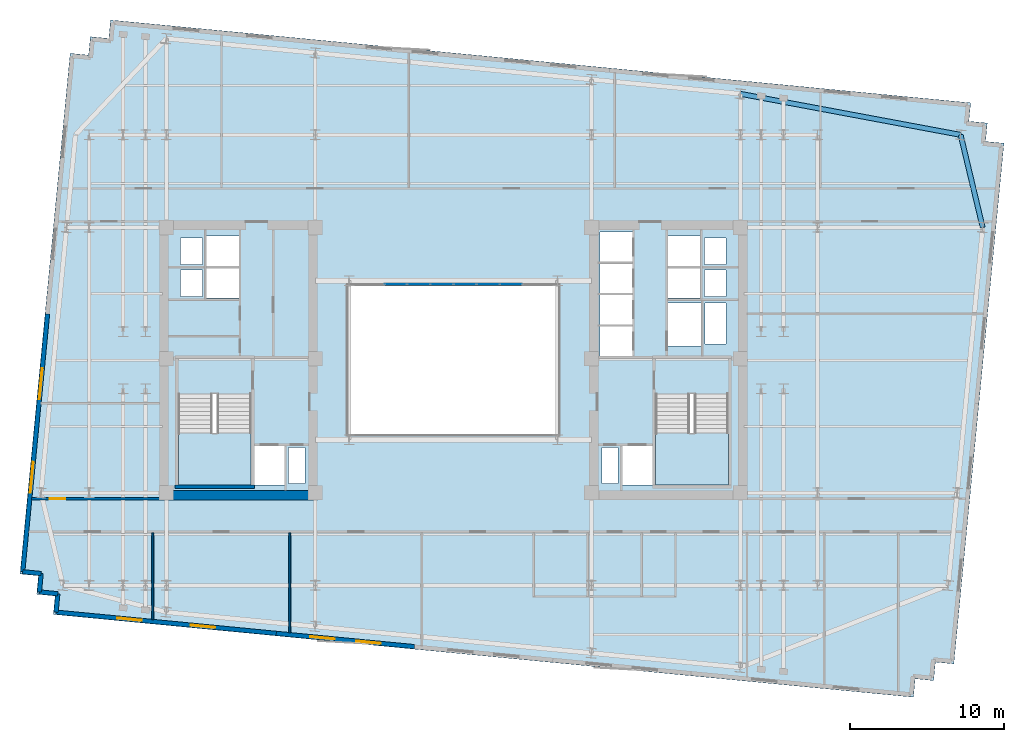
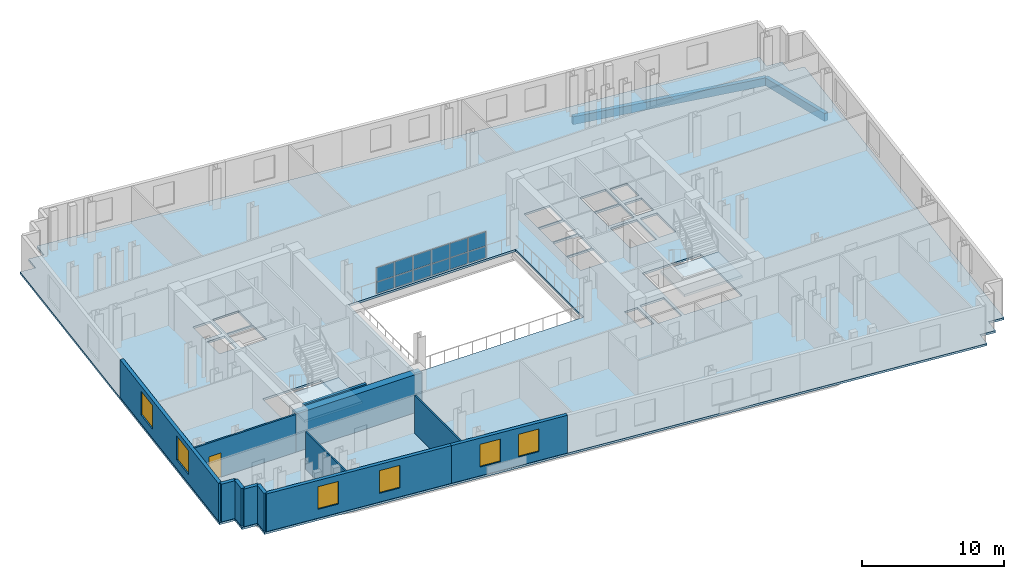
# One storey, part 4 of 10: 12 plates, 12 walls, 6 windows, 3 slabs, 2 beams, 1 door, 7 openings, 3 elements without a shape of their own.
"""IFC4 building model written with IfcOpenShell, lengths in metres."""

from ifc_helpers import new_model, si_unit, direction, frame, frame_2d, origin, origin_2d, place, context, subcontext, project, spatial, polyline, rectangle, outline, extrude, material, layer, layer_set, material_profile, profile_set, type_object, element, fill, aggregate, save


model = new_model("IFC4")

# Units and contexts
model_context = context("Model", 3, precision=1e-05, world=origin(), true_north=direction((0.0, 1.0)))
body_context = subcontext(model_context, "Body", "Model", "MODEL_VIEW")
ifc_project = project(units=[si_unit("LENGTHUNIT", "METRE"), si_unit("AREAUNIT", "SQUARE_METRE"), si_unit("VOLUMEUNIT", "CUBIC_METRE"), si_unit("PLANEANGLEUNIT", "RADIAN"), si_unit("MASSUNIT", "GRAM", prefix="KILO")], contexts=[model_context])

# Site, building, storey
site_placement = place(None, origin())
site = spatial("IfcSite", under=ifc_project, at=site_placement, CompositionType="ELEMENT")
building_placement = place(site_placement, origin())
building = spatial("IfcBuilding", under=site, at=building_placement, Name="Velakula Bourse", CompositionType="ELEMENT")
storey_placement = place(building_placement, frame((0.0, 0.0, 174.199951171875)))
storey = spatial("IfcBuildingStorey", under=building, at=storey_placement, Name="L47", CompositionType="ELEMENT", Elevation=174.199951171875)

# Beams
ifc_material_1 = material(Name="Precast concrete M45 (fck 45 MPa)", Category="concrete")
ifc_material_profile = material_profile(ifc_material_1, rectangle(XDim=0.320068359375, YDim=0.679931640625, at=origin_2d()), Name="Precast concrete M45 (fck 45 MPa)")
ifc_profile_set = profile_set([ifc_material_profile], Name="Precast concrete M45 (fck 45 MPa)")
beam_type = type_object("IfcBeamType", Name="SPN-BRICK-680", PredefinedType="SPANDREL", material=ifc_profile_set)
beam_1_placement = place(storey_placement, frame((34.30517578125, 8.60009765625, -0.52001953125), z_axis=(-0.232091371601, 0.972693988482, 0.0), x_axis=(-0.972693988482, -0.232091371601, 0.0)))
element("IfcBeam", 1, at=beam_1_placement, inside=storey, type_object=beam_type, Name="L47 Brick-Faced Precast Spandrel E3-E4", PredefinedType="SPANDREL", context=body_context, shape_type="SweptSolid", body=[
    extrude(rectangle(XDim=0.320068359375, YDim=0.679931640625, at=origin_2d()), origin(), (0.0, 0.0, 1.0), 6.16845703125),
])
beam_2_placement = place(storey_placement, frame((32.87353515625, 14.60009765625, -0.52001953125), z_axis=(-0.983069592122, 0.183232576378, 0.0), x_axis=(-0.183232576378, -0.983069592122, 0.0)))
element("IfcBeam", 2, at=beam_2_placement, inside=storey, type_object=beam_type, Name="L47 Brick-Faced Precast Spandrel E4-N4", PredefinedType="SPANDREL", context=body_context, shape_type="SweptSolid", body=[
    extrude(rectangle(XDim=0.320068359375, YDim=0.679931640625, at=origin_2d()), origin(), (0.0, 0.0, 1.0), 14.519287109375),
])

# Curtain wall, plates
ifc_material_2 = material(Name="Anodised bronze architectural aluminium", Category="aluminium")
ifc_layer_1 = layer(ifc_material_2, 0.14990234375, Name="Anodised bronze architectural aluminium", Category="aluminium")
ifc_layer_set_1 = layer_set([ifc_layer_1], Name="Anodised bronze architectural aluminium")
curtain_wall_type = type_object("IfcCurtainWallType", Name="CW-AT1", PredefinedType="NOTDEFINED", material=ifc_layer_set_1)
curtain_wall_placement = place(storey_placement, origin())
curtain_wall = element("IfcCurtainWall", 3, at=curtain_wall_placement, inside=storey, type_object=curtain_wall_type, Name="L47 Central Trading Atrium Fire-Rated Glazed Screen", PredefinedType="NOTDEFINED")
ifc_material_3 = material(Name="Fire-resistant EI 120 laminated glazing", Category="glass")
ifc_layer_2 = layer(ifc_material_3, 0.02392578125, Name="Fire-resistant EI 120 laminated glazing", Category="glass")
ifc_layer_set_2 = layer_set([ifc_layer_2], Name="Fire-resistant EI 120 laminated glazing")
plate_type = type_object("IfcPlateType", Name="PNL-CW-AT1", PredefinedType="CURTAIN_PANEL", material=ifc_layer_set_2)
plate_1_placement = place(storey_placement, frame((-3.735107421875, 4.919921875, 0.06005859375), z_axis=(0.0, 0.0, 1.0), x_axis=(1.0, 0.0, 0.0)))
plate_1 = element("IfcPlate", 4, at=plate_1_placement, type_object=plate_type, Name="CW-AT1 panel 1.1", PredefinedType="CURTAIN_PANEL", context=body_context, shape_type="SweptSolid", body=[
    extrude(rectangle(XDim=1.409912109375, YDim=0.028076171875, at=origin_2d()), origin(), (0.0, 0.0, 1.0), 0.965087890625),
])
plate_2_placement = place(storey_placement, frame((-3.735107421875, 4.919921875, 1.085205078125), z_axis=(0.0, 0.0, 1.0), x_axis=(1.0, 0.0, 0.0)))
plate_2 = element("IfcPlate", 5, at=plate_2_placement, type_object=plate_type, Name="CW-AT1 panel 1.2", PredefinedType="CURTAIN_PANEL", context=body_context, shape_type="SweptSolid", body=[
    extrude(rectangle(XDim=1.409912109375, YDim=0.028076171875, at=origin_2d()), origin(), (0.0, 0.0, 1.0), 1.19970703125),
])
plate_3_placement = place(storey_placement, frame((-2.25, 4.919921875, 0.06005859375), z_axis=(0.0, 0.0, 1.0), x_axis=(1.0, 0.0, 0.0)))
plate_3 = element("IfcPlate", 6, at=plate_3_placement, type_object=plate_type, Name="CW-AT1 panel 2.1", PredefinedType="CURTAIN_PANEL", context=body_context, shape_type="SweptSolid", body=[
    extrude(rectangle(XDim=1.43994140625, YDim=0.028076171875, at=origin_2d()), origin(), (0.0, 0.0, 1.0), 0.965087890625),
])
plate_4_placement = place(storey_placement, frame((-2.25, 4.919921875, 1.085205078125), z_axis=(0.0, 0.0, 1.0), x_axis=(1.0, 0.0, 0.0)))
plate_4 = element("IfcPlate", 7, at=plate_4_placement, type_object=plate_type, Name="CW-AT1 panel 2.2", PredefinedType="CURTAIN_PANEL", context=body_context, shape_type="SweptSolid", body=[
    extrude(rectangle(XDim=1.43994140625, YDim=0.028076171875, at=origin_2d()), origin(), (0.0, 0.0, 1.0), 1.19970703125),
])
plate_5_placement = place(storey_placement, frame((-0.75, 4.919921875, 0.06005859375), z_axis=(0.0, 0.0, 1.0), x_axis=(1.0, 0.0, 0.0)))
plate_5 = element("IfcPlate", 8, at=plate_5_placement, type_object=plate_type, Name="CW-AT1 panel 3.1", PredefinedType="CURTAIN_PANEL", context=body_context, shape_type="SweptSolid", body=[
    extrude(rectangle(XDim=1.43994140625, YDim=0.028076171875, at=origin_2d()), origin(), (0.0, 0.0, 1.0), 0.965087890625),
])
plate_6_placement = place(storey_placement, frame((-0.75, 4.919921875, 1.085205078125), z_axis=(0.0, 0.0, 1.0), x_axis=(1.0, 0.0, 0.0)))
plate_6 = element("IfcPlate", 9, at=plate_6_placement, type_object=plate_type, Name="CW-AT1 panel 3.2", PredefinedType="CURTAIN_PANEL", context=body_context, shape_type="SweptSolid", body=[
    extrude(rectangle(XDim=1.43994140625, YDim=0.028076171875, at=origin_2d()), origin(), (0.0, 0.0, 1.0), 1.19970703125),
])
plate_7_placement = place(storey_placement, frame((0.75, 4.919921875, 0.06005859375), z_axis=(0.0, 0.0, 1.0), x_axis=(1.0, 0.0, 0.0)))
plate_7 = element("IfcPlate", 10, at=plate_7_placement, type_object=plate_type, Name="CW-AT1 panel 4.1", PredefinedType="CURTAIN_PANEL", context=body_context, shape_type="SweptSolid", body=[
    extrude(rectangle(XDim=1.43994140625, YDim=0.028076171875, at=origin_2d()), origin(), (0.0, 0.0, 1.0), 0.965087890625),
])
plate_8_placement = place(storey_placement, frame((0.75, 4.919921875, 1.085205078125), z_axis=(0.0, 0.0, 1.0), x_axis=(1.0, 0.0, 0.0)))
plate_8 = element("IfcPlate", 11, at=plate_8_placement, type_object=plate_type, Name="CW-AT1 panel 4.2", PredefinedType="CURTAIN_PANEL", context=body_context, shape_type="SweptSolid", body=[
    extrude(rectangle(XDim=1.43994140625, YDim=0.028076171875, at=origin_2d()), origin(), (0.0, 0.0, 1.0), 1.19970703125),
])
plate_9_placement = place(storey_placement, frame((2.25, 4.919921875, 0.06005859375), z_axis=(0.0, 0.0, 1.0), x_axis=(1.0, 0.0, 0.0)))
plate_9 = element("IfcPlate", 12, at=plate_9_placement, type_object=plate_type, Name="CW-AT1 panel 5.1", PredefinedType="CURTAIN_PANEL", context=body_context, shape_type="SweptSolid", body=[
    extrude(rectangle(XDim=1.43994140625, YDim=0.028076171875, at=origin_2d()), origin(), (0.0, 0.0, 1.0), 0.965087890625),
])
plate_10_placement = place(storey_placement, frame((2.25, 4.919921875, 1.085205078125), z_axis=(0.0, 0.0, 1.0), x_axis=(1.0, 0.0, 0.0)))
plate_10 = element("IfcPlate", 13, at=plate_10_placement, type_object=plate_type, Name="CW-AT1 panel 5.2", PredefinedType="CURTAIN_PANEL", context=body_context, shape_type="SweptSolid", body=[
    extrude(rectangle(XDim=1.43994140625, YDim=0.028076171875, at=origin_2d()), origin(), (0.0, 0.0, 1.0), 1.19970703125),
])
plate_11_placement = place(storey_placement, frame((3.735107421875, 4.919921875, 0.06005859375), z_axis=(0.0, 0.0, 1.0), x_axis=(1.0, 0.0, 0.0)))
plate_11 = element("IfcPlate", 14, at=plate_11_placement, type_object=plate_type, Name="CW-AT1 panel 6.1", PredefinedType="CURTAIN_PANEL", context=body_context, shape_type="SweptSolid", body=[
    extrude(rectangle(XDim=1.409912109375, YDim=0.028076171875, at=origin_2d()), origin(), (0.0, 0.0, 1.0), 0.965087890625),
])
plate_12_placement = place(storey_placement, frame((3.735107421875, 4.919921875, 1.085205078125), z_axis=(0.0, 0.0, 1.0), x_axis=(1.0, 0.0, 0.0)))
plate_12 = element("IfcPlate", 15, at=plate_12_placement, type_object=plate_type, Name="CW-AT1 panel 6.2", PredefinedType="CURTAIN_PANEL", context=body_context, shape_type="SweptSolid", body=[
    extrude(rectangle(XDim=1.409912109375, YDim=0.028076171875, at=origin_2d()), origin(), (0.0, 0.0, 1.0), 1.19970703125),
])
aggregate(curtain_wall, [plate_1, plate_2, plate_3, plate_4, plate_5, plate_6, plate_7, plate_8, plate_9, plate_10, plate_11, plate_12])

# Stair, slab
ifc_material_4 = material(Name="Concrete M45 (fck 45 MPa)", Category="concrete")
stair_type = type_object("IfcStairType", Name="STR-DOG-390", PredefinedType="HALF_TURN_STAIR", material=ifc_material_4)
stair_1_placement = place(storey_placement, origin())
stair_1 = element("IfcStair", 16, at=stair_1_placement, inside=storey, type_object=stair_type, Name="L47 West Core Exit Stair ST-W1", PredefinedType="HALF_TURN_STAIR")
ifc_layer_3 = layer(ifc_material_4, 0.199951171875, Name="Concrete M45 (fck 45 MPa)", Category="concrete")
ifc_layer_set_3 = layer_set([ifc_layer_3], Name="Concrete M45 (fck 45 MPa)")
slab_type_1 = type_object("IfcSlabType", Name="SLB-STAIR-LND-200", PredefinedType="LANDING", material=ifc_layer_set_3)
slab_1_placement = place(storey_placement, frame((0.0, 0.0, 1.525146484375)))
slab_1 = element("IfcSlab", 17, at=slab_1_placement, type_object=slab_type_1, Name="ST-W1 landing 1", PredefinedType="LANDING", context=body_context, shape_type="SweptSolid", body=[
    extrude(outline(polyline([(-17.820068359375, -4.719970703125), (-17.820068359375, -8.10009765625), (-13.10009765625, -8.10009765625), (-13.10009765625, -4.719970703125), (-17.820068359375, -4.719970703125)])), origin(), (0.0, 0.0, 1.0), 0.199951171875),
])
aggregate(stair_1, [slab_1])

stair_2_placement = place(storey_placement, origin())
stair_2 = element("IfcStair", 18, at=stair_2_placement, inside=storey, type_object=stair_type, Name="L47 East Core Exit Stair ST-E1", PredefinedType="HALF_TURN_STAIR")
slab_2_placement = place(storey_placement, frame((0.0, 0.0, 1.525146484375)))
slab_2 = element("IfcSlab", 19, at=slab_2_placement, type_object=slab_type_1, Name="ST-E1 landing 1", PredefinedType="LANDING", context=body_context, shape_type="SweptSolid", body=[
    extrude(outline(polyline([(13.10009765625, -4.719970703125), (13.10009765625, -8.10009765625), (17.820068359375, -8.10009765625), (17.820068359375, -4.719970703125), (13.10009765625, -4.719970703125)])), origin(), (0.0, 0.0, 1.0), 0.199951171875),
])
aggregate(stair_2, [slab_2])

# Slab
ifc_material_5 = material(Name="Concrete M50 (fck 50 MPa)", Category="concrete")
ifc_layer_4 = layer(ifc_material_5, 0.179931640625, Name="Concrete M50 (fck 50 MPa)", Category="concrete")
ifc_layer_set_4 = layer_set([ifc_layer_4], Name="Concrete M50 (fck 50 MPa)")
slab_type_2 = type_object("IfcSlabType", Name="SLB-TWR-180", PredefinedType="FLOOR", material=ifc_layer_set_4)
slab_3_placement = place(storey_placement, frame((0.0, 0.0, -0.179931640625)))
element("IfcSlab", 20, at=slab_3_placement, inside=storey, type_object=slab_type_2, Name="L47 Suspended Structural Floor Slab", PredefinedType="FLOOR", context=body_context, shape_type="SweptSolid", body=[
    extrude(outline(polyline([(-25.92578125, -16.477294921875), (29.81640625, -21.844482421875), (29.931396484375, -20.650146484375), (31.1259765625, -20.76513671875), (31.240966796875, -19.570556640625), (32.435546875, -19.685791015625), (35.6845703125, 14.058349609375), (34.490234375, 14.17333984375), (34.605224609375, 15.36767578125), (33.41064453125, 15.482666015625), (33.525634765625, 16.67724609375), (-22.216552734375, 22.044677734375), (-22.33154296875, 20.85009765625), (-23.52587890625, 20.965087890625), (-23.640869140625, 19.770751953125), (-24.83544921875, 19.8857421875), (-28.084716796875, -13.858154296875), (-26.89013671875, -13.973388671875), (-27.005126953125, -15.167724609375), (-25.810791015625, -15.28271484375), (-25.92578125, -16.477294921875)]), holes=[polyline([(-17.820068359375, -8.10009765625), (-13.10009765625, -8.10009765625), (-13.10009765625, -2.199951171875), (-17.820068359375, -2.199951171875), (-17.820068359375, -8.10009765625)]), polyline([(13.10009765625, -8.10009765625), (17.820068359375, -8.10009765625), (17.820068359375, -2.199951171875), (13.10009765625, -2.199951171875), (13.10009765625, -8.10009765625)]), polyline([(-12.89990234375, -8.10009765625), (-10.949951171875, -8.10009765625), (-10.949951171875, -5.550048828125), (-12.89990234375, -5.550048828125), (-12.89990234375, -8.10009765625)]), polyline([(10.949951171875, -8.10009765625), (12.89990234375, -8.10009765625), (12.89990234375, -5.550048828125), (10.949951171875, -5.550048828125), (10.949951171875, -8.10009765625)]), polyline([(13.89990234375, 0.919921875), (16.050048828125, 0.919921875), (16.050048828125, 3.719970703125), (13.89990234375, 3.719970703125), (13.89990234375, 0.919921875)]), polyline([(-10.679931640625, -7.97998046875), (-9.6201171875, -7.97998046875), (-9.6201171875, -5.669921875), (-10.679931640625, -5.669921875), (-10.679931640625, -7.97998046875)]), polyline([(-17.679931640625, 4.139892578125), (-16.27001953125, 4.139892578125), (-16.27001953125, 5.85009765625), (-17.679931640625, 5.85009765625), (-17.679931640625, 4.139892578125)]), polyline([(-17.679931640625, 6.2099609375), (-16.27001953125, 6.2099609375), (-16.27001953125, 7.919921875), (-17.679931640625, 7.919921875), (-17.679931640625, 6.2099609375)]), polyline([(9.6201171875, -7.97998046875), (10.679931640625, -7.97998046875), (10.679931640625, -5.669921875), (9.6201171875, -5.669921875), (9.6201171875, -7.97998046875)]), polyline([(16.27001953125, 4.139892578125), (17.679931640625, 4.139892578125), (17.679931640625, 5.85009765625), (16.27001953125, 5.85009765625), (16.27001953125, 4.139892578125)]), polyline([(16.27001953125, 6.2099609375), (17.679931640625, 6.2099609375), (17.679931640625, 7.919921875), (16.27001953125, 7.919921875), (16.27001953125, 6.2099609375)]), polyline([(16.320068359375, 1.0400390625), (17.679931640625, 1.0400390625), (17.679931640625, 3.699951171875), (16.320068359375, 3.699951171875), (16.320068359375, 1.0400390625)]), polyline([(9.5, 0.280029296875), (11.60009765625, 0.280029296875), (11.60009765625, 2.199951171875), (9.5, 2.199951171875), (9.5, 0.280029296875)]), polyline([(9.5, 2.31005859375), (11.60009765625, 2.31005859375), (11.60009765625, 4.22998046875), (9.5, 4.22998046875), (9.5, 2.31005859375)]), polyline([(9.5, 4.340087890625), (11.60009765625, 4.340087890625), (11.60009765625, 6.260009765625), (9.5, 6.260009765625), (9.5, 4.340087890625)]), polyline([(9.5, 6.3701171875), (11.60009765625, 6.3701171875), (11.60009765625, 8.2900390625), (9.5, 8.2900390625), (9.5, 6.3701171875)]), polyline([(-16.0, 4.02001953125), (-13.89990234375, 4.02001953125), (-13.89990234375, 5.969970703125), (-16.0, 5.969970703125), (-16.0, 4.02001953125)]), polyline([(-16.0, 6.090087890625), (-13.89990234375, 6.090087890625), (-13.89990234375, 8.0400390625), (-16.0, 8.0400390625), (-16.0, 6.090087890625)]), polyline([(13.89990234375, 4.02001953125), (16.0, 4.02001953125), (16.0, 5.969970703125), (13.89990234375, 5.969970703125), (13.89990234375, 4.02001953125)]), polyline([(13.89990234375, 6.090087890625), (16.0, 6.090087890625), (16.0, 8.0400390625), (13.89990234375, 8.0400390625), (13.89990234375, 6.090087890625)]), polyline([(-6.800048828125, -4.800048828125), (6.800048828125, -4.800048828125), (6.800048828125, 4.800048828125), (-6.800048828125, 4.800048828125), (-6.800048828125, -4.800048828125)])]), origin(), (0.0, 0.0, 1.0), 0.179931640625),
])

# Walls
ifc_layer_5 = layer(ifc_material_5, 0.2099609375, Name="Concrete M50 (fck 50 MPa)", Category="concrete")
ifc_layer_set_5 = layer_set([ifc_layer_5], Name="Concrete M50 (fck 50 MPa)")
wall_type_1 = type_object("IfcWallType", Name="WL-CORE-210", PredefinedType="SHEAR", material=ifc_layer_set_5)
wall_1_placement = place(storey_placement, frame((-18.030029296875, -8.205078125, 0.0), z_axis=(0.0, 0.0, 1.0), x_axis=(1.0, 0.0, 0.0)))
element("IfcWall", 21, at=wall_1_placement, inside=storey, type_object=wall_type_1, Name="L47 Core W Stairwell Shear Wall S", PredefinedType="SHEAR", context=body_context, shape_type="SweptSolid", body=[
    extrude(rectangle(XDim=5.14013671875, YDim=0.2099609375, at=frame_2d((2.570068359375, 0.0))), origin(), (0.0, 0.0, 1.0), 3.27001953125),
])
ifc_material_6 = material(Name="Concrete M70 (fck 70 MPa)", Category="concrete")
ifc_layer_6 = layer(ifc_material_6, 0.60009765625, Name="Concrete M70 (fck 70 MPa)", Category="concrete")
ifc_layer_set_6 = layer_set([ifc_layer_6], Name="Concrete M70 (fck 70 MPa)")
wall_type_2 = type_object("IfcWallType", Name="WL-CORE-600", PredefinedType="SHEAR", material=ifc_layer_set_6)
wall_2_placement = place(storey_placement, frame((-19.050048828125, -8.75, 0.0), z_axis=(0.0, 0.0, 1.0), x_axis=(1.0, 0.0, 0.0)))
element("IfcWall", 22, at=wall_2_placement, inside=storey, type_object=wall_type_2, Name="L47 Core W Shear Wall S", PredefinedType="SHEAR", context=body_context, shape_type="SweptSolid", body=[
    extrude(rectangle(XDim=10.25, YDim=0.60009765625, at=frame_2d((5.125, 0.0))), origin(), (0.0, 0.0, 1.0), 3.27001953125),
])

# Wall, openings, windows
ifc_material_7 = material(Name="Red kilned clay facing brick masonry", Category="masonry")
ifc_layer_7 = layer(ifc_material_7, 0.280029296875, Name="Red kilned clay facing brick masonry", Category="masonry")
ifc_layer_set_7 = layer_set([ifc_layer_7], Name="Red kilned clay facing brick masonry")
wall_type_3 = type_object("IfcWallType", Name="WL-EXT-BRK-280", PredefinedType="STANDARD", material=ifc_layer_set_7)
wall_3_placement = place(storey_placement, frame((-11.47705078125, -17.707763671875, 0.0), z_axis=(0.0, 0.0, 1.0), x_axis=(-0.995395762701, 0.095850276977, 0.0)))
wall_3 = element("IfcWall", 23, at=wall_3_placement, inside=storey, type_object=wall_type_3, Name="L47 S Brick Spandrel Wall B1", PredefinedType="STANDARD", context=body_context, shape_type="SweptSolid", body=[
    extrude(rectangle(XDim=14.340087890625, YDim=0.280029296875, at=frame_2d((7.169921875, 0.0))), origin(), (0.0, 0.0, 1.0), 3.25),
])
opening_1_placement = place(wall_3_placement, frame((3.97998046875, 0.0, 0.760009765625)))
opening_1 = element("IfcOpeningElement", 24, at=opening_1_placement, cuts=wall_3, Name="Opening W-02", PredefinedType="OPENING", context=body_context, shape_type="SweptSolid", body=[
    extrude(rectangle(XDim=1.60009765625, YDim=1.949951171875, at=frame_2d((0.800048828125, 0.97509765625))), frame((0.0, 0.14990234375, 0.0), z_axis=(0.0, -1.0, 0.0), x_axis=(1.0, 0.0, 0.0)), (0.0, 0.0, 1.0), 0.300048828125),
])
opening_2_placement = place(wall_3_placement, frame((8.760009765625, 0.0, 0.760009765625)))
opening_2 = element("IfcOpeningElement", 25, at=opening_2_placement, cuts=wall_3, Name="Opening W-02", PredefinedType="OPENING", context=body_context, shape_type="SweptSolid", body=[
    extrude(rectangle(XDim=1.60009765625, YDim=1.949951171875, at=frame_2d((0.800048828125, 0.97509765625))), frame((0.0, 0.14990234375, 0.0), z_axis=(0.0, -1.0, 0.0), x_axis=(1.0, 0.0, 0.0)), (0.0, 0.0, 1.0), 0.300048828125),
])
ifc_material_8 = material(Name="Double-glazed solar-control Low-E glass", Category="glass")
window_type_1 = type_object("IfcWindowType", Name="WIN-TWR-1600x2100", PartitioningType="SINGLE_PANEL", PredefinedType="WINDOW", material=ifc_material_8)
window_1_placement = place(opening_1_placement, origin())
window_1 = element("IfcWindow", 26, at=window_1_placement, inside=storey, type_object=window_type_1, Name="L47 Deep-Set Recessed Window 1", OverallHeight=1.949951171875, OverallWidth=1.60009765625, PartitioningType="SINGLE_PANEL", PredefinedType="WINDOW", context=body_context, shape_type="SweptSolid", body=[
    extrude(rectangle(XDim=1.60009765625, YDim=1.949951171875, at=frame_2d((0.800048828125, 0.97509765625))), frame((0.0, 0.030029296875, 0.0), z_axis=(0.0, -1.0, 0.0), x_axis=(1.0, 0.0, 0.0)), (0.0, 0.0, 1.0), 0.06005859375),
])
fill(opening_1, window_1)
window_2_placement = place(opening_2_placement, origin())
window_2 = element("IfcWindow", 27, at=window_2_placement, inside=storey, type_object=window_type_1, Name="L47 Deep-Set Recessed Window 2", OverallHeight=1.949951171875, OverallWidth=1.60009765625, PartitioningType="SINGLE_PANEL", PredefinedType="WINDOW", context=body_context, shape_type="SweptSolid", body=[
    extrude(rectangle(XDim=1.60009765625, YDim=1.949951171875, at=frame_2d((0.800048828125, 0.97509765625))), frame((0.0, 0.030029296875, 0.0), z_axis=(0.0, -1.0, 0.0), x_axis=(1.0, 0.0, 0.0)), (0.0, 0.0, 1.0), 0.06005859375),
])
fill(opening_2, window_2)

wall_4_placement = place(storey_placement, frame((-2.5185546875, -18.5703125, 0.0), z_axis=(0.0, 0.0, 1.0), x_axis=(-0.995396794462, 0.09583956164, 0.0)))
wall_4 = element("IfcWall", 28, at=wall_4_placement, inside=storey, type_object=wall_type_3, Name="L47 S Brick Spandrel Wall B2", PredefinedType="STANDARD", context=body_context, shape_type="SweptSolid", body=[
    extrude(rectangle(XDim=9.0, YDim=0.280029296875, at=frame_2d((4.5, 0.0))), origin(), (0.0, 0.0, 1.0), 3.25),
])
opening_3_placement = place(wall_4_placement, frame((2.199951171875, 0.0, 0.760009765625)))
opening_3 = element("IfcOpeningElement", 29, at=opening_3_placement, cuts=wall_4, Name="Opening W-02", PredefinedType="OPENING", context=body_context, shape_type="SweptSolid", body=[
    extrude(rectangle(XDim=1.60009765625, YDim=1.949951171875, at=frame_2d((0.800048828125, 0.97509765625))), frame((0.0, 0.14990234375, 0.0), z_axis=(0.0, -1.0, 0.0), x_axis=(1.0, 0.0, 0.0)), (0.0, 0.0, 1.0), 0.300048828125),
])
opening_4_placement = place(wall_4_placement, frame((5.199951171875, 0.0, 0.760009765625)))
opening_4 = element("IfcOpeningElement", 30, at=opening_4_placement, cuts=wall_4, Name="Opening W-02", PredefinedType="OPENING", context=body_context, shape_type="SweptSolid", body=[
    extrude(rectangle(XDim=1.60009765625, YDim=1.949951171875, at=frame_2d((0.800048828125, 0.97509765625))), frame((0.0, 0.14990234375, 0.0), z_axis=(0.0, -1.0, 0.0), x_axis=(1.0, 0.0, 0.0)), (0.0, 0.0, 1.0), 0.300048828125),
])
window_3_placement = place(opening_3_placement, origin())
window_3 = element("IfcWindow", 31, at=window_3_placement, inside=storey, type_object=window_type_1, Name="L47 Deep-Set Recessed Window 1", OverallHeight=1.949951171875, OverallWidth=1.60009765625, PartitioningType="SINGLE_PANEL", PredefinedType="WINDOW", context=body_context, shape_type="SweptSolid", body=[
    extrude(rectangle(XDim=1.60009765625, YDim=1.949951171875, at=frame_2d((0.800048828125, 0.97509765625))), frame((0.0, 0.030029296875, 0.0), z_axis=(0.0, -1.0, 0.0), x_axis=(1.0, 0.0, 0.0)), (0.0, 0.0, 1.0), 0.06005859375),
])
fill(opening_3, window_3)
window_4_placement = place(opening_4_placement, origin())
window_4 = element("IfcWindow", 32, at=window_4_placement, inside=storey, type_object=window_type_1, Name="L47 Deep-Set Recessed Window 2", OverallHeight=1.949951171875, OverallWidth=1.60009765625, PartitioningType="SINGLE_PANEL", PredefinedType="WINDOW", context=body_context, shape_type="SweptSolid", body=[
    extrude(rectangle(XDim=1.60009765625, YDim=1.949951171875, at=frame_2d((0.800048828125, 0.97509765625))), frame((0.0, 0.030029296875, 0.0), z_axis=(0.0, -1.0, 0.0), x_axis=(1.0, 0.0, 0.0)), (0.0, 0.0, 1.0), 0.06005859375),
])
fill(opening_4, window_4)

wall_5_placement = place(storey_placement, frame((-27.909912109375, -13.71435546875, 0.0), z_axis=(0.0, 0.0, 1.0), x_axis=(0.095839027265, 0.995396845913, 0.0)))
wall_5 = element("IfcWall", 33, at=wall_5_placement, inside=storey, type_object=wall_type_3, Name="L47 W Brick End Wall W1", PredefinedType="STANDARD", context=body_context, shape_type="SweptSolid", body=[
    extrude(rectangle(XDim=16.7900390625, YDim=0.280029296875, at=frame_2d((8.39501953125, 0.0))), origin(), (0.0, 0.0, 1.0), 3.25),
])
opening_5_placement = place(wall_5_placement, frame((5.146728515625, 0.0, 0.760009765625)))
opening_5 = element("IfcOpeningElement", 34, at=opening_5_placement, cuts=wall_5, Name="Opening W-05", PredefinedType="OPENING", context=body_context, shape_type="SweptSolid", body=[
    extrude(rectangle(XDim=2.0, YDim=2.050048828125, at=frame_2d((1.0, 1.02490234375))), frame((0.0, 0.14990234375, 0.0), z_axis=(0.0, -1.0, 0.0), x_axis=(1.0, 0.0, 0.0)), (0.0, 0.0, 1.0), 0.300048828125),
])
opening_6_placement = place(wall_5_placement, frame((11.243408203125, 0.0, 0.760009765625)))
opening_6 = element("IfcOpeningElement", 35, at=opening_6_placement, cuts=wall_5, Name="Opening W-05", PredefinedType="OPENING", context=body_context, shape_type="SweptSolid", body=[
    extrude(rectangle(XDim=2.0, YDim=2.050048828125, at=frame_2d((1.0, 1.02490234375))), frame((0.0, 0.14990234375, 0.0), z_axis=(0.0, -1.0, 0.0), x_axis=(1.0, 0.0, 0.0)), (0.0, 0.0, 1.0), 0.300048828125),
])
window_type_2 = type_object("IfcWindowType", Name="WIN-TWR-2000x2200", PartitioningType="DOUBLE_PANEL_VERTICAL", PredefinedType="WINDOW", material=ifc_material_8)
window_5_placement = place(opening_5_placement, origin())
window_5 = element("IfcWindow", 36, at=window_5_placement, inside=storey, type_object=window_type_2, Name="L47 Deep-Set Recessed Window 1", OverallHeight=2.050048828125, OverallWidth=2.0, PartitioningType="DOUBLE_PANEL_VERTICAL", PredefinedType="WINDOW", context=body_context, shape_type="SweptSolid", body=[
    extrude(rectangle(XDim=2.0, YDim=2.050048828125, at=frame_2d((1.0, 1.02490234375))), frame((0.0, 0.030029296875, 0.0), z_axis=(0.0, -1.0, 0.0), x_axis=(1.0, 0.0, 0.0)), (0.0, 0.0, 1.0), 0.06005859375),
])
fill(opening_5, window_5)
window_6_placement = place(opening_6_placement, origin())
window_6 = element("IfcWindow", 37, at=window_6_placement, inside=storey, type_object=window_type_2, Name="L47 Deep-Set Recessed Window 2", OverallHeight=2.050048828125, OverallWidth=2.0, PartitioningType="DOUBLE_PANEL_VERTICAL", PredefinedType="WINDOW", context=body_context, shape_type="SweptSolid", body=[
    extrude(rectangle(XDim=2.0, YDim=2.050048828125, at=frame_2d((1.0, 1.02490234375))), frame((0.0, 0.030029296875, 0.0), z_axis=(0.0, -1.0, 0.0), x_axis=(1.0, 0.0, 0.0)), (0.0, 0.0, 1.0), 0.06005859375),
])
fill(opening_6, window_6)

# Walls
wall_6_placement = place(storey_placement, frame((-27.909912109375, -13.71435546875, 0.0), z_axis=(0.0, 0.0, 1.0), x_axis=(0.995397091755, -0.095836473879, 0.0)))
element("IfcWall", 38, at=wall_6_placement, inside=storey, type_object=wall_type_3, Name="L47 Serrated Corner Brick Wall SW-1", PredefinedType="STANDARD", context=body_context, shape_type="SweptSolid", body=[
    extrude(rectangle(XDim=1.199951171875, YDim=0.280029296875, at=frame_2d((0.60009765625, 0.0))), origin(), (0.0, 0.0, 1.0), 3.25),
])
for number, where, z_axis, x_axis, name in (
    (39, (-26.715576171875, -13.829345703125, 0.0), (0.0, 0.0, 1.0), (-0.095817067274, -0.995398960025, 0.0), "L47 Serrated Corner Brick Wall SW-2"),
    (40, (-26.83056640625, -15.02392578125, 0.0), (0.0, 0.0, 1.0), (0.995398960025, -0.095817067274, 0.0), "L47 Serrated Corner Brick Wall SW-3"),
):
    element("IfcWall", number, at=place(storey_placement, frame(where, z_axis=z_axis, x_axis=x_axis)), inside=storey, type_object=wall_type_3, Name=name, PredefinedType="STANDARD", context=body_context, shape_type="SweptSolid", body=[
        extrude(rectangle(XDim=1.2001953125, YDim=0.280029296875, at=frame_2d((0.60009765625, 0.0))), origin(), (0.0, 0.0, 1.0), 3.25),
    ])
wall_7_placement = place(storey_placement, frame((-25.635986328125, -15.138916015625, 0.0), z_axis=(0.0, 0.0, 1.0), x_axis=(-0.096038073607, -0.995377661201, 0.0)))
element("IfcWall", 41, at=wall_7_placement, inside=storey, type_object=wall_type_3, Name="L47 Serrated Corner Brick Wall SW-4", PredefinedType="STANDARD", context=body_context, shape_type="SweptSolid", body=[
    extrude(rectangle(XDim=1.199951171875, YDim=0.280029296875, at=frame_2d((0.60009765625, 0.0))), origin(), (0.0, 0.0, 1.0), 3.25),
])
ifc_material_9 = material(Name="Fire-rated double-layer gypsum drywall partition", Category="gypsum")
ifc_layer_8 = layer(ifc_material_9, 0.1201171875, Name="Fire-rated double-layer gypsum drywall partition", Category="gypsum")
ifc_layer_set_8 = layer_set([ifc_layer_8], Name="Fire-rated double-layer gypsum drywall partition")
wall_type_4 = type_object("IfcWallType", Name="WL-PART-120", PredefinedType="STANDARD", material=ifc_layer_set_8)
wall_8_placement = place(storey_placement, frame((-19.485107421875, -16.816162109375, 0.0), z_axis=(0.0, 0.0, 1.0), x_axis=(0.0, 1.0, 0.0)))
element("IfcWall", 42, at=wall_8_placement, inside=storey, type_object=wall_type_4, Name="L47 Interior Partition WL-INT-L47-SL-D5", PredefinedType="STANDARD", context=body_context, shape_type="SweptSolid", body=[
    extrude(rectangle(XDim=5.626220703125, YDim=0.1201171875, at=frame_2d((2.81298828125, 0.0))), origin(), (0.0, 0.0, 1.0), 3.25),
])
wall_9_placement = place(storey_placement, frame((-10.59912109375, -17.671630859375, 0.0), z_axis=(0.0, 0.0, 1.0), x_axis=(0.0, 1.0, 0.0)))
element("IfcWall", 43, at=wall_9_placement, inside=storey, type_object=wall_type_4, Name="L47 Interior Partition WL-INT-L47-SL-D6", PredefinedType="STANDARD", context=body_context, shape_type="SweptSolid", body=[
    extrude(rectangle(XDim=6.481689453125, YDim=0.1201171875, at=frame_2d((3.24072265625, 0.0))), origin(), (0.0, 0.0, 1.0), 3.25),
])

# Wall, opening, door
ifc_layer_9 = layer(ifc_material_9, 0.139892578125, Name="Fire-rated double-layer gypsum drywall partition", Category="gypsum")
ifc_layer_set_9 = layer_set([ifc_layer_9], Name="Fire-rated double-layer gypsum drywall partition")
wall_type_5 = type_object("IfcWallType", Name="WL-PART-140", PredefinedType="STANDARD", material=ifc_layer_set_9)
wall_10_placement = place(storey_placement, frame((-27.33349609375, -8.97998046875, 0.0), z_axis=(0.0, 0.0, 1.0), x_axis=(1.0, 0.0, 0.0)))
wall_10 = element("IfcWall", 44, at=wall_10_placement, inside=storey, type_object=wall_type_5, Name="L47 Interior Partition WL-INT-L47-W-SC", PredefinedType="STANDARD", context=body_context, shape_type="SweptSolid", body=[
    extrude(rectangle(XDim=8.283447265625, YDim=0.139892578125, at=frame_2d((4.1416015625, 0.0))), origin(), (0.0, 0.0, 1.0), 3.25),
])
opening_7_placement = place(wall_10_placement, frame((1.17724609375, 0.0, 0.0)))
opening_7 = element("IfcOpeningElement", 45, at=opening_7_placement, cuts=wall_10, Name="Opening D-OF1", PredefinedType="OPENING", context=body_context, shape_type="SweptSolid", body=[
    extrude(rectangle(XDim=1.0, YDim=2.080078125, at=frame_2d((0.5, 1.0400390625))), frame((0.0, 0.079833984375, 0.0), z_axis=(0.0, -1.0, 0.0), x_axis=(1.0, 0.0, 0.0)), (0.0, 0.0, 1.0), 0.159912109375),
])
ifc_material_10 = material(Name="Fire-rated hardwood flush architectural door", Category="wood")
door_type = type_object("IfcDoorType", Name="DR-OFF-1000", OperationType="NOTDEFINED", PredefinedType="DOOR", material=ifc_material_10)
door_placement = place(opening_7_placement, origin())
door = element("IfcDoor", 46, at=door_placement, inside=storey, type_object=door_type, Name="L47 Interest-Rate Swaps Workspace Door", OperationType="SINGLE_SWING_RIGHT", OverallHeight=2.080078125, OverallWidth=1.0, PredefinedType="DOOR", context=body_context, shape_type="SweptSolid", body=[
    extrude(rectangle(XDim=1.0, YDim=2.080078125, at=frame_2d((0.5, 1.0400390625))), frame((0.0, 0.02490234375, 0.0), z_axis=(0.0, -1.0, 0.0), x_axis=(1.0, 0.0, 0.0)), (0.0, 0.0, 1.0), 0.050048828125),
])
fill(opening_7, door)

save(model, "model.ifc")
